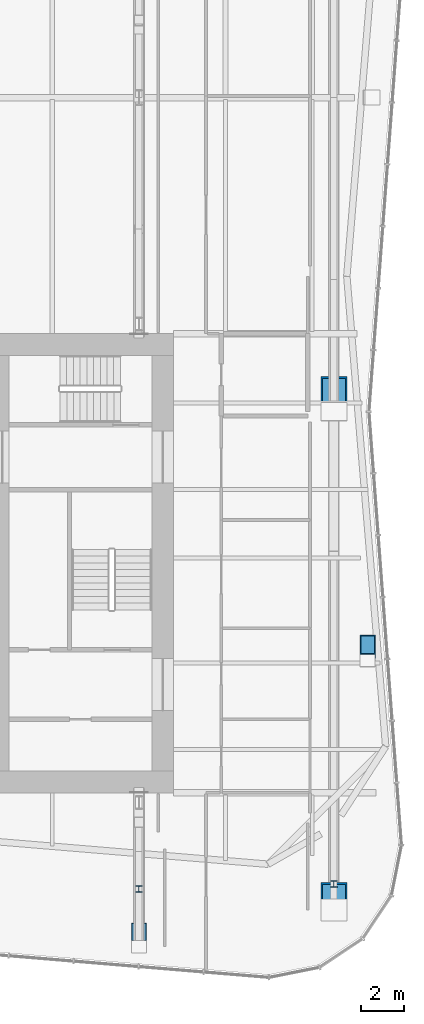
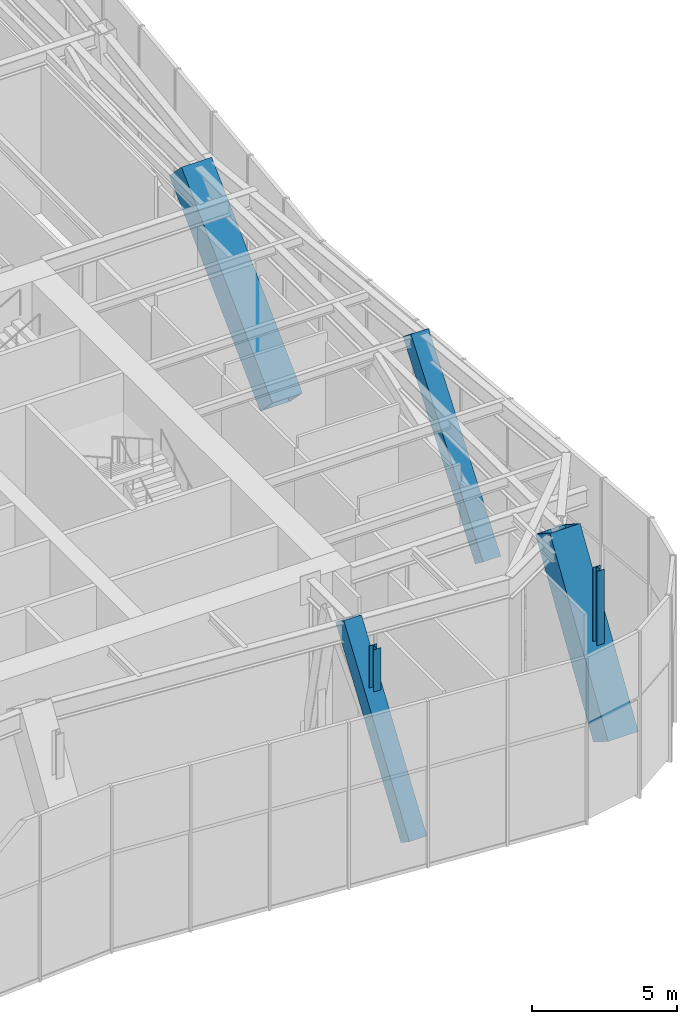
# One storey, part 2 of 16: 6 columns.
"""IFC4 building model written with IfcOpenShell, lengths in metres."""

from ifc_helpers import new_model, si_unit, direction, frame, origin, origin_2d, place, context, subcontext, project, spatial, hollow_rectangle, i_section, extrude, material, material_profile, profile_set, type_object, element, save


model = new_model("IFC4")

# Units and contexts
model_context = context("Model", 3, precision=1e-05, world=origin(), true_north=direction((0.0, 1.0)))
body_context = subcontext(model_context, "Body", "Model", "MODEL_VIEW")
ifc_project = project(units=[si_unit("LENGTHUNIT", "METRE"), si_unit("AREAUNIT", "SQUARE_METRE"), si_unit("VOLUMEUNIT", "CUBIC_METRE"), si_unit("PLANEANGLEUNIT", "RADIAN"), si_unit("MASSUNIT", "GRAM", prefix="KILO")], contexts=[model_context])

# Site, building, storey
site_placement = place(None, origin())
site = spatial("IfcSite", under=ifc_project, at=site_placement, CompositionType="ELEMENT")
building_placement = place(site_placement, origin())
building = spatial("IfcBuilding", under=site, at=building_placement, Name="Verdant Reach Tower", CompositionType="ELEMENT")
storey_placement = place(building_placement, frame((0.0, 0.0, 170.0)))
storey = spatial("IfcBuildingStorey", under=building, at=storey_placement, Name="L39 Plant", CompositionType="ELEMENT", Elevation=170.0)

# Columns
ifc_material = material(Name="Steel S460", Category="steel")
ifc_material_profile_1 = material_profile(ifc_material, hollow_rectangle(XDim=1.199951171875, YDim=1.199951171875, WallThickness=0.070068359375, at=origin_2d()), Name="WB 1200x1200x70")
ifc_profile_set_1 = profile_set([ifc_material_profile_1], Name="Steel S460")
column_type_1 = type_object("IfcColumnType", Name="ST-COL-WB1200x1200x70", PredefinedType="COLUMN", material=ifc_profile_set_1)
column_1_placement = place(storey_placement, frame((21.0, 35.0, 0.446044921875), z_axis=(0.0, 0.715189741462, 0.698930349683), x_axis=(-1.0, 0.0, 0.0)))
element("IfcColumn", 1, at=column_1_placement, inside=storey, type_object=column_type_1, Name="Mega column east, L39 Plant", PredefinedType="COLUMN", context=body_context, shape_type="SweptSolid", body=[
    extrude(hollow_rectangle(XDim=1.199951171875, YDim=1.199951171875, WallThickness=0.070068359375, at=origin_2d()), origin(), (0.0, 0.0, 1.0), 8.739013671875),
])
column_2_placement = place(storey_placement, frame((21.0, 12.0, 0.34521484375), z_axis=(0.0, 0.535428326995, 0.84458066912), x_axis=(-1.0, 0.0, 0.0)))
element("IfcColumn", 2, at=column_2_placement, inside=storey, type_object=column_type_1, Name="Mega column south-east, L39 Plant", PredefinedType="COLUMN", context=body_context, shape_type="SweptSolid", body=[
    extrude(hollow_rectangle(XDim=1.199951171875, YDim=1.199951171875, WallThickness=0.070068359375, at=origin_2d()), origin(), (0.0, 0.0, 1.0), 7.470703125),
])
ifc_material_profile_2 = material_profile(ifc_material, hollow_rectangle(XDim=0.699951171875, YDim=0.699951171875, WallThickness=0.030029296875, at=origin_2d()), Name="WB 700x700x30")
ifc_profile_set_2 = profile_set([ifc_material_profile_2], Name="Steel S460")
column_type_2 = type_object("IfcColumnType", Name="ST-COL-WB700x700x30", PredefinedType="COLUMN", material=ifc_profile_set_2)
column_3_placement = place(storey_placement, frame((12.0, 10.300048828125, 0.2255859375), z_axis=(0.0, 0.566330599135, 0.824178167925), x_axis=(-1.0, 0.0, 0.0)))
element("IfcColumn", 3, at=column_3_placement, inside=storey, type_object=column_type_2, Name="Perimeter column south 2, L39 Plant", PredefinedType="COLUMN", context=body_context, shape_type="SweptSolid", body=[
    extrude(hollow_rectangle(XDim=0.699951171875, YDim=0.699951171875, WallThickness=0.030029296875, at=origin_2d()), origin(), (0.0, 0.0, 1.0), 7.94580078125),
])
column_4_placement = place(storey_placement, frame((22.5625, 23.5, 0.240478515625), z_axis=(0.002050420952, 0.608588711452, 0.793483192051), x_axis=(-0.999994324494, 0.003369121503, 0.0)))
element("IfcColumn", 4, at=column_4_placement, inside=storey, type_object=column_type_2, Name="Perimeter column east 1, L39 Plant", PredefinedType="COLUMN", context=body_context, shape_type="SweptSolid", body=[
    extrude(hollow_rectangle(XDim=0.699951171875, YDim=0.699951171875, WallThickness=0.030029296875, at=origin_2d()), origin(), (0.0, 0.0, 1.0), 8.2158203125),
])
ifc_material_profile_3 = material_profile(ifc_material, i_section(OverallWidth=0.300048828125, OverallDepth=0.300048828125, WebThickness=0.010986328125, FlangeThickness=0.01904296875, FilletRadius=0.027099609375, at=origin_2d()), Name="HEB 300")
ifc_profile_set_3 = profile_set([ifc_material_profile_3], Name="Steel S460")
column_type_3 = type_object("IfcColumnType", Name="ST-DECK-POST-HEB300", PredefinedType="COLUMN", material=ifc_profile_set_3)
column_5_placement = place(storey_placement, frame((21.0, 13.193359375, 3.584716796875), z_axis=(0.0, 0.0, 1.0), x_axis=(1.0, 0.0, 0.0)))
element("IfcColumn", 5, at=column_5_placement, inside=storey, type_object=column_type_3, Name="Terrace deck post, column M-SE, L39 Plant", PredefinedType="COLUMN", context=body_context, shape_type="SweptSolid", body=[
    extrude(i_section(OverallWidth=0.300048828125, OverallDepth=0.300048828125, WebThickness=0.010986328125, FlangeThickness=0.01904296875, FilletRadius=0.027099609375, at=origin_2d()), origin(), (0.0, 0.0, 1.0), 3.115234375),
])
column_6_placement = place(storey_placement, frame((12.0, 12.96142578125, 4.935302734375), z_axis=(0.0, 0.0, 1.0), x_axis=(1.0, 0.0, 0.0)))
element("IfcColumn", 6, at=column_6_placement, inside=storey, type_object=column_type_3, Name="Terrace deck post, column P-S2, L39 Plant", PredefinedType="COLUMN", context=body_context, shape_type="SweptSolid", body=[
    extrude(i_section(OverallWidth=0.300048828125, OverallDepth=0.300048828125, WebThickness=0.010986328125, FlangeThickness=0.01904296875, FilletRadius=0.027099609375, at=origin_2d()), origin(), (0.0, 0.0, 1.0), 1.7646484375),
])

save(model, "model.ifc")
